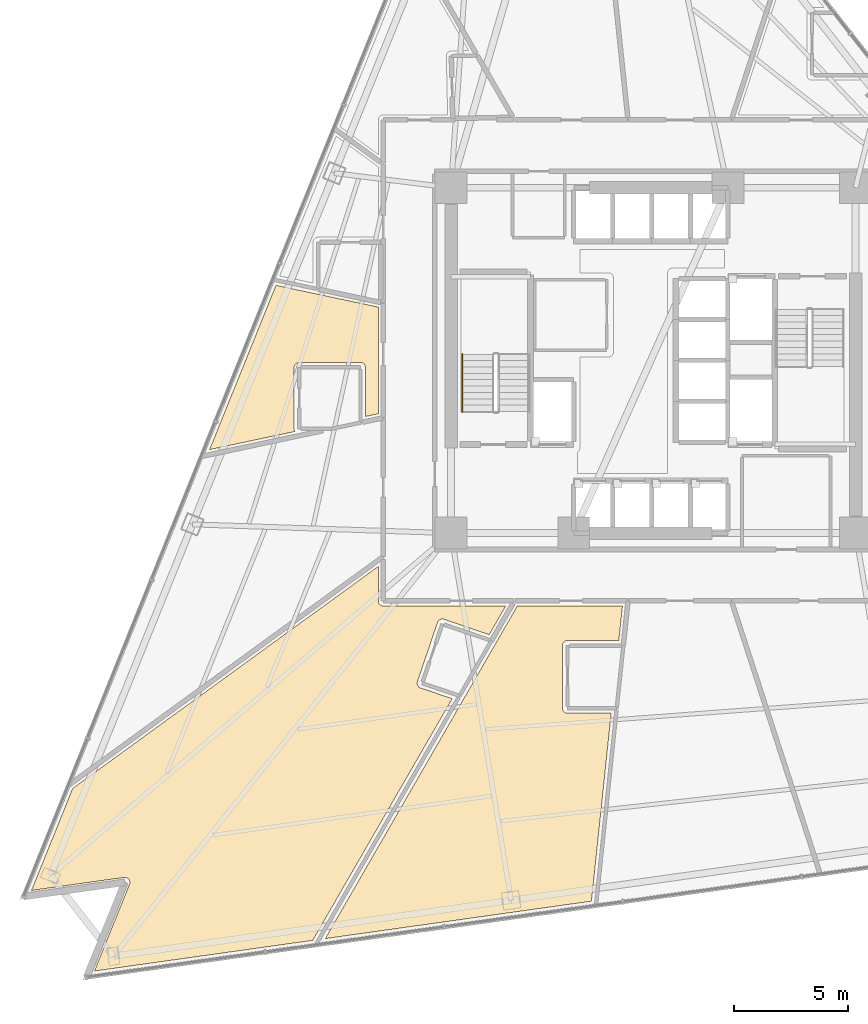
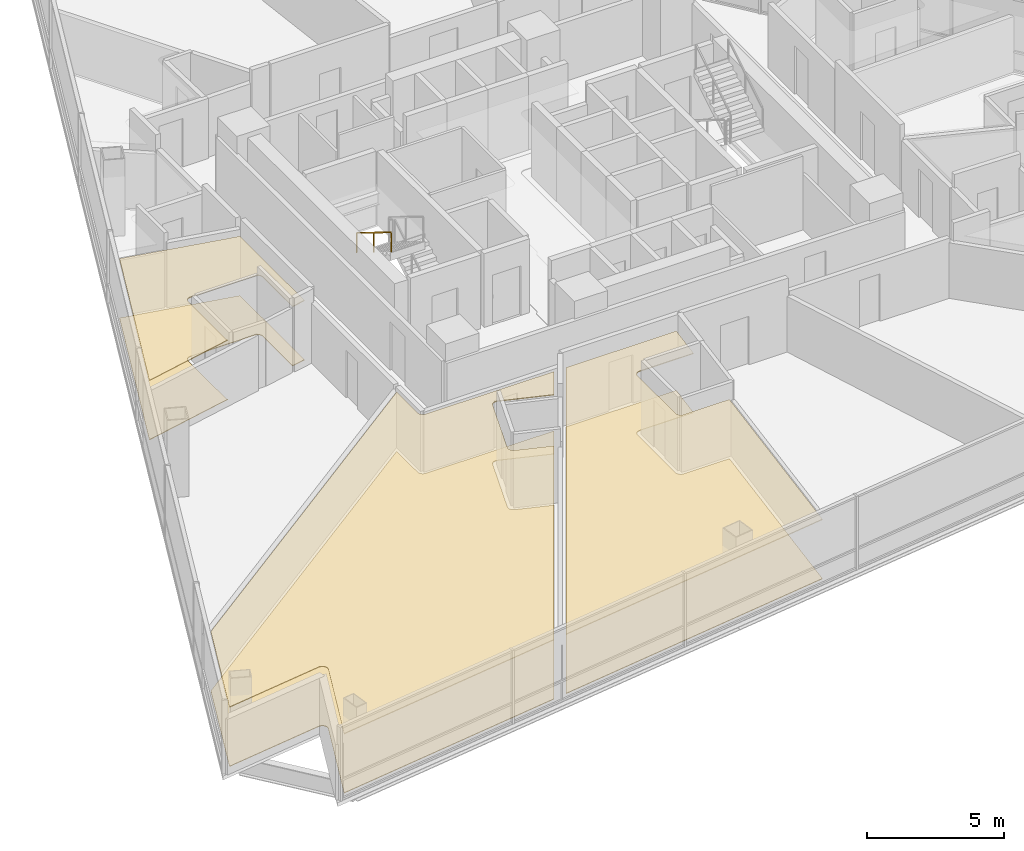
# One storey, part 11 of 15: 6 coverings, 1 railing.
"""IFC4 building model written with IfcOpenShell, lengths in metres."""

from ifc_helpers import new_model, si_unit, direction, frame, origin, origin_2d, place, context, subcontext, project, spatial, polyline, rectangle, outline, extrude, material, layer, layer_set, type_object, element, save


model = new_model("IFC4")

# Units and contexts
model_context = context("Model", 3, precision=1e-05, world=origin(), true_north=direction((0.0, 1.0)))
body_context = subcontext(model_context, "Body", "Model", "MODEL_VIEW")
ifc_project = project(units=[si_unit("LENGTHUNIT", "METRE"), si_unit("AREAUNIT", "SQUARE_METRE"), si_unit("VOLUMEUNIT", "CUBIC_METRE"), si_unit("PLANEANGLEUNIT", "RADIAN"), si_unit("MASSUNIT", "GRAM", prefix="KILO")], contexts=[model_context])

# Site, building, storey
site_placement = place(None, origin())
site = spatial("IfcSite", under=ifc_project, at=site_placement, CompositionType="ELEMENT")
building_placement = place(site_placement, origin())
building = spatial("IfcBuilding", under=site, at=building_placement, Name="Tharavind Bronze Gate", CompositionType="ELEMENT")
storey_placement = place(building_placement, frame((0.0, 0.0, 63.85009765625)))
storey = spatial("IfcBuildingStorey", under=building, at=storey_placement, Name="L15", CompositionType="ELEMENT", Elevation=63.85009765625)

# Coverings
ifc_material_1 = material(Name="Engineered Oak & Carpet Tile", Category="wood")
ifc_layer_1 = layer(ifc_material_1, 0.02490234375)
ifc_layer_set_1 = layer_set([ifc_layer_1], Name="Engineered Oak & Carpet Tile")
covering_type_1 = type_object("IfcCoveringType", Name="ENGINEERED TIMBER FLOORING", PredefinedType="FLOORING", material=ifc_layer_set_1)
covering_1_placement = place(storey_placement, origin())
element("IfcCovering", 1, at=covering_1_placement, inside=storey, type_object=covering_type_1, Name="L15-RM-07 floor finish", PredefinedType="FLOORING", context=body_context, shape_type="SweptSolid", body=[
    extrude(outline(polyline([(-15.766845703125, -3.12646484375), (-15.775390625, -3.112548828125), (-15.784423828125, -3.093017578125), (-15.791748046875, -3.072509765625), (-15.797119140625, -3.0517578125), (-15.80029296875, -3.0302734375), (-15.80126953125, -3.0087890625), (-15.80126953125, -0.308837890625), (-15.80029296875, -0.287109375), (-15.797119140625, -0.265869140625), (-15.791748046875, -0.244873046875), (-15.784423828125, -0.224609375), (-15.775390625, -0.205078125), (-15.76416015625, -0.1865234375), (-15.751220703125, -0.169189453125), (-15.73681640625, -0.1533203125), (-15.720703125, -0.138671875), (-15.70361328125, -0.125732421875), (-15.68505859375, -0.11474609375), (-15.665283203125, -0.10546875), (-15.64501953125, -0.09814453125), (-15.624267578125, -0.093017578125), (-15.602783203125, -0.08984375), (-15.581298828125, -0.0888671875), (-12.88134765625, -0.0888671875), (-12.859619140625, -0.08984375), (-12.83837890625, -0.093017578125), (-12.8173828125, -0.09814453125), (-12.797119140625, -0.10546875), (-12.777587890625, -0.11474609375), (-12.759033203125, -0.125732421875), (-12.74169921875, -0.138671875), (-12.7255859375, -0.1533203125), (-12.711181640625, -0.169189453125), (-12.6982421875, -0.1865234375), (-12.687255859375, -0.205078125), (-12.677978515625, -0.224609375), (-12.670654296875, -0.244873046875), (-12.66552734375, -0.265869140625), (-12.662353515625, -0.287109375), (-12.661376953125, -0.308837890625), (-12.661376953125, -2.46630859375), (-12.10009765625, -2.346923828125), (-12.10009765625, 2.346923828125), (-16.60302734375, 3.30419921875), (-19.52392578125, -3.925048828125), (-15.766845703125, -3.12646484375)])), origin(), (0.0, 0.0, 1.0), 0.02490234375),
])
covering_2_placement = place(storey_placement, origin())
element("IfcCovering", 2, at=covering_2_placement, inside=storey, type_object=covering_type_1, Name="L15-RM-09 floor finish", PredefinedType="FLOORING", context=body_context, shape_type="SweptSolid", body=[
    extrude(outline(polyline([(-23.281982421875, -22.747802734375), (-23.271240234375, -22.74658203125), (-23.270751953125, -22.74658203125), (-23.248779296875, -22.74560546875), (-23.226806640625, -22.7470703125), (-23.205078125, -22.75048828125), (-23.18408203125, -22.756103515625), (-23.16357421875, -22.763916015625), (-23.143798828125, -22.7734375), (-23.125244140625, -22.78515625), (-23.10791015625, -22.798583984375), (-23.091796875, -22.813720703125), (-23.07763671875, -22.830078125), (-23.06494140625, -22.84814453125), (-23.05419921875, -22.8671875), (-23.04541015625, -22.88720703125), (-23.03857421875, -22.908203125), (-23.033935546875, -22.9296875), (-23.031494140625, -22.951416015625), (-23.031005859375, -22.973388671875), (-23.032958984375, -22.9951171875), (-23.037109375, -23.0166015625), (-23.043212890625, -23.037841796875), (-23.043212890625, -23.038330078125), (-23.047119140625, -23.048583984375), (-24.58984375, -26.866943359375), (-14.986572265625, -25.517333984375), (-8.8466796875, -14.883056640625), (-10.2392578125, -14.4091796875), (-10.25927734375, -14.4013671875), (-10.278564453125, -14.391357421875), (-10.296630859375, -14.379638671875), (-10.313720703125, -14.3662109375), (-10.3291015625, -14.351318359375), (-10.343017578125, -14.334716796875), (-10.355224609375, -14.31689453125), (-10.36572265625, -14.298095703125), (-10.374267578125, -14.2783203125), (-10.380859375, -14.2578125), (-10.385498046875, -14.236572265625), (-10.387939453125, -14.215087890625), (-10.38818359375, -14.193603515625), (-10.386474609375, -14.172119140625), (-10.382568359375, -14.15087890625), (-10.376708984375, -14.130126953125), (-9.490478515625, -11.526611328125), (-9.482666015625, -11.506591796875), (-9.472900390625, -11.4873046875), (-9.461181640625, -11.46923828125), (-9.44775390625, -11.452392578125), (-9.4326171875, -11.43701171875), (-9.416259765625, -11.4228515625), (-9.3984375, -11.41064453125), (-9.37939453125, -11.400146484375), (-9.359619140625, -11.3916015625), (-9.339111328125, -11.385009765625), (-9.318115234375, -11.380615234375), (-9.296630859375, -11.3779296875), (-9.27490234375, -11.377685546875), (-9.25341796875, -11.37939453125), (-9.232421875, -11.38330078125), (-9.21142578125, -11.389404296875), (-7.220703125, -12.06689453125), (-6.489501953125, -10.800048828125), (-11.87939453125, -10.800048828125), (-11.89013671875, -10.7998046875), (-11.890869140625, -10.7998046875), (-11.912353515625, -10.797607421875), (-11.933349609375, -10.79345703125), (-11.9541015625, -10.787109375), (-11.97412109375, -10.77880859375), (-11.9931640625, -10.768798828125), (-12.010986328125, -10.756591796875), (-12.027587890625, -10.742919921875), (-12.04296875, -10.727783203125), (-12.056640625, -10.7109375), (-12.068603515625, -10.693115234375), (-12.078857421875, -10.674072265625), (-12.087158203125, -10.654052734375), (-12.093505859375, -10.63330078125), (-12.09765625, -10.6123046875), (-12.099609375, -10.5908203125), (-12.099609375, -10.590087890625), (-12.10009765625, -10.579345703125), (-12.10009765625, -9.06298828125), (-25.547119140625, -18.8330078125), (-27.3603515625, -23.321044921875), (-23.281982421875, -22.747802734375)])), origin(), (0.0, 0.0, 1.0), 0.02490234375),
])
covering_3_placement = place(storey_placement, origin())
element("IfcCovering", 3, at=covering_3_placement, inside=storey, type_object=covering_type_1, Name="L15-RM-10 floor finish", PredefinedType="FLOORING", context=body_context, shape_type="SweptSolid", body=[
    extrude(outline(polyline([(-2.721923828125, -23.793701171875), (-1.852294921875, -15.52001953125), (-3.774658203125, -15.52001953125), (-3.796142578125, -15.518798828125), (-3.8173828125, -15.515869140625), (-3.83837890625, -15.510498046875), (-3.85888671875, -15.50341796875), (-3.87841796875, -15.493896484375), (-3.896728515625, -15.48291015625), (-3.914306640625, -15.47021484375), (-3.93017578125, -15.45556640625), (-3.944580078125, -15.439697265625), (-3.95751953125, -15.422119140625), (-3.968505859375, -15.40380859375), (-3.977783203125, -15.38427734375), (-3.985107421875, -15.364013671875), (-3.990478515625, -15.343017578125), (-3.99365234375, -15.321533203125), (-3.99462890625, -15.300048828125), (-3.99462890625, -12.550048828125), (-3.99365234375, -12.5283203125), (-3.990478515625, -12.507080078125), (-3.985107421875, -12.486083984375), (-3.977783203125, -12.4658203125), (-3.968505859375, -12.4462890625), (-3.95751953125, -12.427734375), (-3.944580078125, -12.410400390625), (-3.93017578125, -12.394287109375), (-3.914306640625, -12.3798828125), (-3.896728515625, -12.3671875), (-3.87841796875, -12.35595703125), (-3.85888671875, -12.3466796875), (-3.83837890625, -12.339599609375), (-3.8173828125, -12.334228515625), (-3.796142578125, -12.3310546875), (-3.774658203125, -12.330078125), (-1.51708984375, -12.330078125), (-1.356201171875, -10.800048828125), (-5.981201171875, -10.800048828125), (-14.43359375, -25.439697265625), (-2.721923828125, -23.793701171875)])), origin(), (0.0, 0.0, 1.0), 0.02490234375),
])
ifc_material_2 = material(Name="Acoustic Gypsum Board", Category="gypsum")
ifc_layer_2 = layer(ifc_material_2, 0.030029296875)
ifc_layer_set_2 = layer_set([ifc_layer_2], Name="Acoustic Gypsum Board")
covering_type_2 = type_object("IfcCoveringType", Name="GYPSUM SUSPENDED CEILING", PredefinedType="CEILING", material=ifc_layer_set_2)
covering_4_placement = place(storey_placement, frame((0.0, 0.0, 2.625)))
element("IfcCovering", 4, at=covering_4_placement, inside=storey, type_object=covering_type_2, Name="L15-RM-07 suspended ceiling", PredefinedType="CEILING", context=body_context, shape_type="SweptSolid", body=[
    extrude(outline(polyline([(-15.766845703125, -3.12646484375), (-15.775390625, -3.112548828125), (-15.784423828125, -3.093017578125), (-15.791748046875, -3.072509765625), (-15.797119140625, -3.0517578125), (-15.80029296875, -3.0302734375), (-15.80126953125, -3.0087890625), (-15.80126953125, -0.308837890625), (-15.80029296875, -0.287109375), (-15.797119140625, -0.265869140625), (-15.791748046875, -0.244873046875), (-15.784423828125, -0.224609375), (-15.775390625, -0.205078125), (-15.76416015625, -0.1865234375), (-15.751220703125, -0.169189453125), (-15.73681640625, -0.1533203125), (-15.720703125, -0.138671875), (-15.70361328125, -0.125732421875), (-15.68505859375, -0.11474609375), (-15.665283203125, -0.10546875), (-15.64501953125, -0.09814453125), (-15.624267578125, -0.093017578125), (-15.602783203125, -0.08984375), (-15.581298828125, -0.0888671875), (-12.88134765625, -0.0888671875), (-12.859619140625, -0.08984375), (-12.83837890625, -0.093017578125), (-12.8173828125, -0.09814453125), (-12.797119140625, -0.10546875), (-12.777587890625, -0.11474609375), (-12.759033203125, -0.125732421875), (-12.74169921875, -0.138671875), (-12.7255859375, -0.1533203125), (-12.711181640625, -0.169189453125), (-12.6982421875, -0.1865234375), (-12.687255859375, -0.205078125), (-12.677978515625, -0.224609375), (-12.670654296875, -0.244873046875), (-12.66552734375, -0.265869140625), (-12.662353515625, -0.287109375), (-12.661376953125, -0.308837890625), (-12.661376953125, -2.46630859375), (-12.10009765625, -2.346923828125), (-12.10009765625, 2.346923828125), (-16.60302734375, 3.30419921875), (-19.52392578125, -3.925048828125), (-15.766845703125, -3.12646484375)])), origin(), (0.0, 0.0, 1.0), 0.034912109375),
])
covering_5_placement = place(storey_placement, frame((0.0, 0.0, 2.625)))
element("IfcCovering", 5, at=covering_5_placement, inside=storey, type_object=covering_type_2, Name="L15-RM-09 suspended ceiling", PredefinedType="CEILING", context=body_context, shape_type="SweptSolid", body=[
    extrude(outline(polyline([(-23.281982421875, -22.747802734375), (-23.271240234375, -22.74658203125), (-23.270751953125, -22.74658203125), (-23.248779296875, -22.74560546875), (-23.226806640625, -22.7470703125), (-23.205078125, -22.75048828125), (-23.18408203125, -22.756103515625), (-23.16357421875, -22.763916015625), (-23.143798828125, -22.7734375), (-23.125244140625, -22.78515625), (-23.10791015625, -22.798583984375), (-23.091796875, -22.813720703125), (-23.07763671875, -22.830078125), (-23.06494140625, -22.84814453125), (-23.05419921875, -22.8671875), (-23.04541015625, -22.88720703125), (-23.03857421875, -22.908203125), (-23.033935546875, -22.9296875), (-23.031494140625, -22.951416015625), (-23.031005859375, -22.973388671875), (-23.032958984375, -22.9951171875), (-23.037109375, -23.0166015625), (-23.043212890625, -23.037841796875), (-23.043212890625, -23.038330078125), (-23.047119140625, -23.048583984375), (-24.58984375, -26.866943359375), (-14.986572265625, -25.517333984375), (-8.8466796875, -14.883056640625), (-10.2392578125, -14.4091796875), (-10.25927734375, -14.4013671875), (-10.278564453125, -14.391357421875), (-10.296630859375, -14.379638671875), (-10.313720703125, -14.3662109375), (-10.3291015625, -14.351318359375), (-10.343017578125, -14.334716796875), (-10.355224609375, -14.31689453125), (-10.36572265625, -14.298095703125), (-10.374267578125, -14.2783203125), (-10.380859375, -14.2578125), (-10.385498046875, -14.236572265625), (-10.387939453125, -14.215087890625), (-10.38818359375, -14.193603515625), (-10.386474609375, -14.172119140625), (-10.382568359375, -14.15087890625), (-10.376708984375, -14.130126953125), (-9.490478515625, -11.526611328125), (-9.482666015625, -11.506591796875), (-9.472900390625, -11.4873046875), (-9.461181640625, -11.46923828125), (-9.44775390625, -11.452392578125), (-9.4326171875, -11.43701171875), (-9.416259765625, -11.4228515625), (-9.3984375, -11.41064453125), (-9.37939453125, -11.400146484375), (-9.359619140625, -11.3916015625), (-9.339111328125, -11.385009765625), (-9.318115234375, -11.380615234375), (-9.296630859375, -11.3779296875), (-9.27490234375, -11.377685546875), (-9.25341796875, -11.37939453125), (-9.232421875, -11.38330078125), (-9.21142578125, -11.389404296875), (-7.220703125, -12.06689453125), (-6.489501953125, -10.800048828125), (-11.87939453125, -10.800048828125), (-11.89013671875, -10.7998046875), (-11.890869140625, -10.7998046875), (-11.912353515625, -10.797607421875), (-11.933349609375, -10.79345703125), (-11.9541015625, -10.787109375), (-11.97412109375, -10.77880859375), (-11.9931640625, -10.768798828125), (-12.010986328125, -10.756591796875), (-12.027587890625, -10.742919921875), (-12.04296875, -10.727783203125), (-12.056640625, -10.7109375), (-12.068603515625, -10.693115234375), (-12.078857421875, -10.674072265625), (-12.087158203125, -10.654052734375), (-12.093505859375, -10.63330078125), (-12.09765625, -10.6123046875), (-12.099609375, -10.5908203125), (-12.099609375, -10.590087890625), (-12.10009765625, -10.579345703125), (-12.10009765625, -9.06298828125), (-25.547119140625, -18.8330078125), (-27.3603515625, -23.321044921875), (-23.281982421875, -22.747802734375)])), origin(), (0.0, 0.0, 1.0), 0.034912109375),
])
covering_6_placement = place(storey_placement, frame((0.0, 0.0, 2.625)))
element("IfcCovering", 6, at=covering_6_placement, inside=storey, type_object=covering_type_2, Name="L15-RM-10 suspended ceiling", PredefinedType="CEILING", context=body_context, shape_type="SweptSolid", body=[
    extrude(outline(polyline([(-2.721923828125, -23.793701171875), (-1.852294921875, -15.52001953125), (-3.774658203125, -15.52001953125), (-3.796142578125, -15.518798828125), (-3.8173828125, -15.515869140625), (-3.83837890625, -15.510498046875), (-3.85888671875, -15.50341796875), (-3.87841796875, -15.493896484375), (-3.896728515625, -15.48291015625), (-3.914306640625, -15.47021484375), (-3.93017578125, -15.45556640625), (-3.944580078125, -15.439697265625), (-3.95751953125, -15.422119140625), (-3.968505859375, -15.40380859375), (-3.977783203125, -15.38427734375), (-3.985107421875, -15.364013671875), (-3.990478515625, -15.343017578125), (-3.99365234375, -15.321533203125), (-3.99462890625, -15.300048828125), (-3.99462890625, -12.550048828125), (-3.99365234375, -12.5283203125), (-3.990478515625, -12.507080078125), (-3.985107421875, -12.486083984375), (-3.977783203125, -12.4658203125), (-3.968505859375, -12.4462890625), (-3.95751953125, -12.427734375), (-3.944580078125, -12.410400390625), (-3.93017578125, -12.394287109375), (-3.914306640625, -12.3798828125), (-3.896728515625, -12.3671875), (-3.87841796875, -12.35595703125), (-3.85888671875, -12.3466796875), (-3.83837890625, -12.339599609375), (-3.8173828125, -12.334228515625), (-3.796142578125, -12.3310546875), (-3.774658203125, -12.330078125), (-1.51708984375, -12.330078125), (-1.356201171875, -10.800048828125), (-5.981201171875, -10.800048828125), (-14.43359375, -25.439697265625), (-2.721923828125, -23.793701171875)])), origin(), (0.0, 0.0, 1.0), 0.034912109375),
])

# Railing
ifc_material_3 = material(Name="Brushed Bronze Alloy", Category="metal")
railing_type = type_object("IfcRailingType", Name="STAIR BRONZE HANDRAIL 900", PredefinedType="HANDRAIL", material=ifc_material_3)
railing_placement = place(storey_placement, frame((-8.39990234375, 0.27001953125, 1.8974609375)))
element("IfcRailing", 7, at=railing_placement, inside=storey, type_object=railing_type, Name="L15 ST1 stair handrail 2", PredefinedType="HANDRAIL", context=body_context, shape_type="SweptSolid", body=[
    extrude(rectangle(XDim=0.048095703125, YDim=0.048095703125, at=origin_2d()), frame((0.0, -0.02734375, 0.892578125), z_axis=(0.0, -0.851400495292, 0.524516154772), x_axis=(1.0, 0.0, 0.0)), (0.0, 0.0, 1.0), 2.895751953125),
    extrude(rectangle(XDim=0.0400390625, YDim=0.0400390625, at=origin_2d()), origin(), (0.0, 0.0, 1.0), 0.847900390625),
    extrude(rectangle(XDim=0.0400390625, YDim=0.0400390625, at=origin_2d()), frame((0.0, -1.260009765625, 0.7763671875)), (0.0, 0.0, 1.0), 0.847900390625),
    extrude(rectangle(XDim=0.0400390625, YDim=0.0400390625, at=origin_2d()), frame((0.0, -2.52001953125, 1.552490234375)), (0.0, 0.0, 1.0), 0.847900390625),
])

save(model, "model.ifc")
